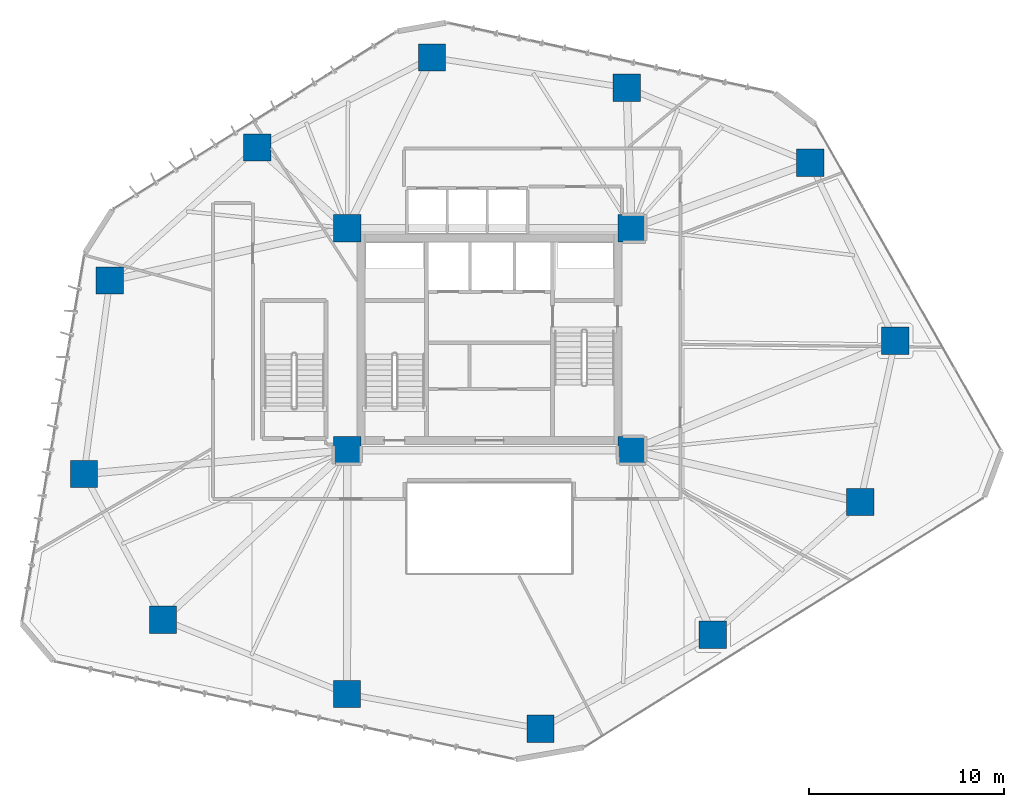
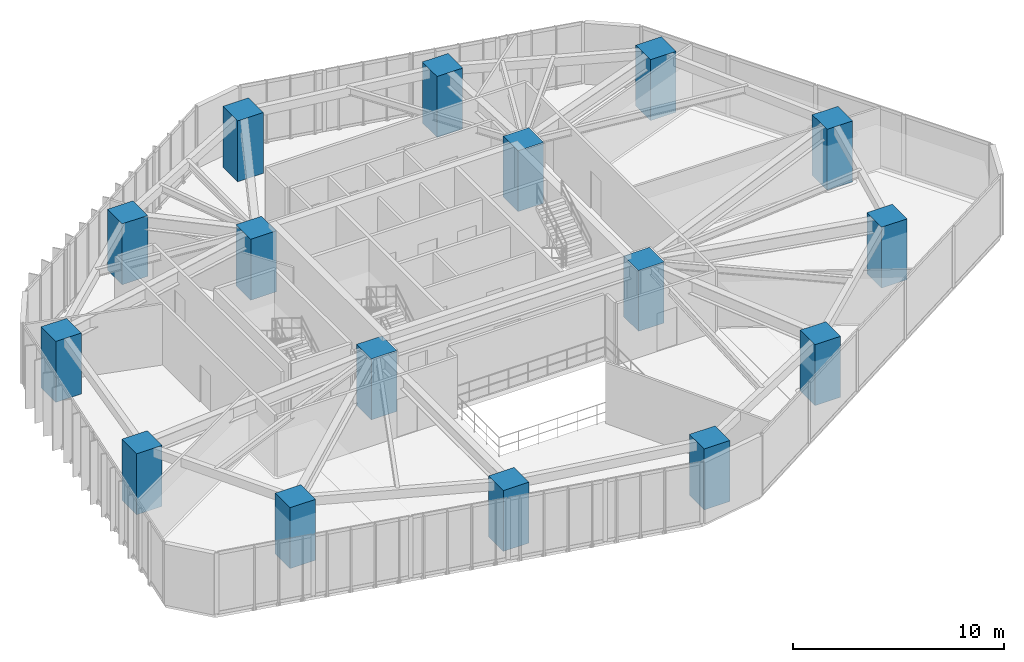
# One storey, part 1 of 22: 16 columns.
"""IFC4 building model written with IfcOpenShell, lengths in metres."""

from ifc_helpers import new_model, si_unit, direction, frame, origin, origin_2d, place, context, subcontext, project, spatial, rectangle, extrude, material, material_profile, profile_set, type_object, element, save


model = new_model("IFC4")

# Units and contexts
model_context = context("Model", 3, precision=1e-05, world=origin(), true_north=direction((0.0, 1.0)))
body_context = subcontext(model_context, "Body", "Model", "MODEL_VIEW")
ifc_project = project(units=[si_unit("LENGTHUNIT", "METRE"), si_unit("AREAUNIT", "SQUARE_METRE"), si_unit("VOLUMEUNIT", "CUBIC_METRE"), si_unit("PLANEANGLEUNIT", "RADIAN"), si_unit("MASSUNIT", "GRAM", prefix="KILO")], contexts=[model_context])

# Site, building, storey
site_placement = place(None, origin())
site = spatial("IfcSite", under=ifc_project, at=site_placement, CompositionType="ELEMENT")
building_placement = place(site_placement, origin())
building = spatial("IfcBuilding", under=site, at=building_placement, Name="Talar Marvaseh", CompositionType="ELEMENT")
storey_placement = place(building_placement, frame((0.0, 0.0, 54.39990234375)))
storey = spatial("IfcBuildingStorey", under=building, at=storey_placement, Name="L13", CompositionType="ELEMENT", Elevation=54.39990234375)

# Columns
ifc_material = material(Name="Concrete C70/85", Category="concrete")
ifc_material_profile = material_profile(ifc_material, rectangle(XDim=1.39990234375, YDim=1.39990234375, at=origin_2d()), Name="RC1400x1400")
ifc_profile_set = profile_set([ifc_material_profile], Name="Concrete C70/85")
column_type = type_object("IfcColumnType", Name="Zone 1 Tube Column RC1400x1400", PredefinedType="COLUMN", material=ifc_profile_set)
for number, where, z_axis, x_axis, name in (
    (1, (42.47705078125, 40.26904296875, 0.0), (0.0, 0.0, 1.0), (1.0, 0.0, 0.0), "L13 Zone 1 Tube Column RC1400x1400"),
    (2, (46.841064453125, 31.118896484375, 0.0), (0.0, 0.0, 1.0), (1.0, 0.0, 0.0), "L13 Zone 1 Tube Column RC1400x1400"),
    (3, (45.0439453125, 22.840087890625, 0.0), (0.0, 0.0, 1.0), (1.0, 0.0, 0.0), "L13 Zone 1 Tube Column RC1400x1400"),
    (4, (37.468017578125, 16.02099609375, 0.0), (0.0, 0.0, 1.0), (1.0, 0.0, 0.0), "L13 Zone 1 Tube Column RC1400x1400"),
    (5, (28.625, 11.195068359375, 0.0), (0.0, 0.0, 1.0), (1.0, 0.0, 0.0), "L13 Zone 1 Tube Column RC1400x1400"),
    (6, (18.68310546875, 12.97900390625, 0.0), (0.0, 0.0, 1.0), (1.0, 0.0, 0.0), "L13 Zone 1 Tube Column RC1400x1400"),
    (7, (9.23193359375, 16.7958984375, 0.0), (0.0, 0.0, 1.0), (1.0, 0.0, 0.0), "L13 Zone 1 Tube Column RC1400x1400"),
    (8, (5.175048828125, 24.27587890625, 0.0), (0.0, 0.0, 1.0), (1.0, 0.0, 0.0), "L13 Zone 1 Tube Column RC1400x1400"),
    (9, (6.501953125, 34.214111328125, 0.0), (0.0, 0.0, 1.0), (1.0, 0.0, 0.0), "L13 Zone 1 Tube Column RC1400x1400"),
    (10, (14.069091796875, 41.04296875, 0.0), (0.0, 0.0, 1.0), (1.0, 0.0, 0.0), "L13 Zone 1 Tube Column RC1400x1400"),
    (11, (23.047119140625, 45.6669921875, 0.0), (0.0, 0.0, 1.0), (1.0, 0.0, 0.0), "L13 Zone 1 Tube Column RC1400x1400"),
    (12, (33.0458984375, 44.117919921875, 0.0), (0.0, 0.0, 1.0), (1.0, 0.0, 0.0), "L13 Zone 1 Tube Column RC1400x1400"),
    (13, (18.699951171875, 25.5, 0.0), (0.0, 0.0, 1.0), (1.0, 0.0, 0.0), "L13 Zone 1 Tube Column RC1400x1400"),
    (14, (33.300048828125, 25.5, 0.0), (0.0, 0.0, 1.0), (1.0, 0.0, 0.0), "L13 Zone 1 Tube Column RC1400x1400"),
    (15, (33.300048828125, 36.89990234375, 0.0), (0.0, 0.0, 1.0), (1.0, 0.0, 0.0), "L13 Zone 1 Tube Column RC1400x1400"),
    (16, (18.699951171875, 36.89990234375, 0.0), (0.0, 0.0, 1.0), (1.0, 0.0, 0.0), "L13 Zone 1 Tube Column RC1400x1400"),
):
    element("IfcColumn", number, at=place(storey_placement, frame(where, z_axis=z_axis, x_axis=x_axis)), inside=storey, type_object=column_type, Name=name, PredefinedType="COLUMN", context=body_context, shape_type="SweptSolid", body=[
        extrude(rectangle(XDim=1.39990234375, YDim=1.39990234375, at=origin_2d()), origin(), (0.0, 0.0, 1.0), 3.52001953125),
    ])

save(model, "model.ifc")
